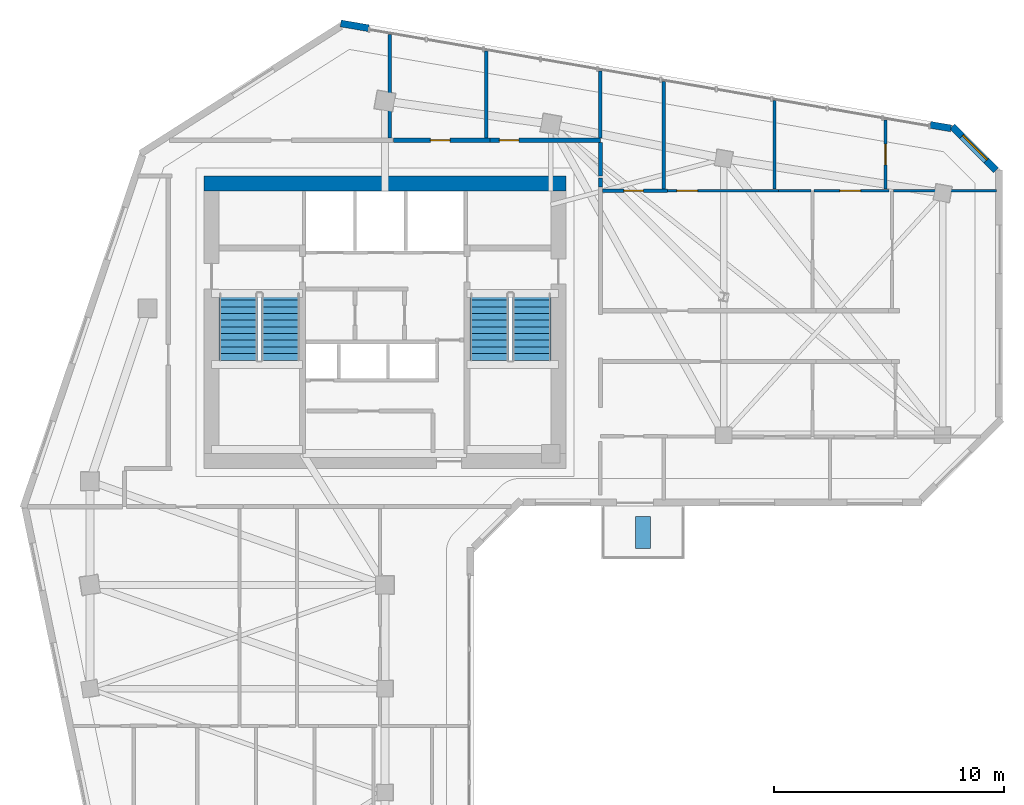
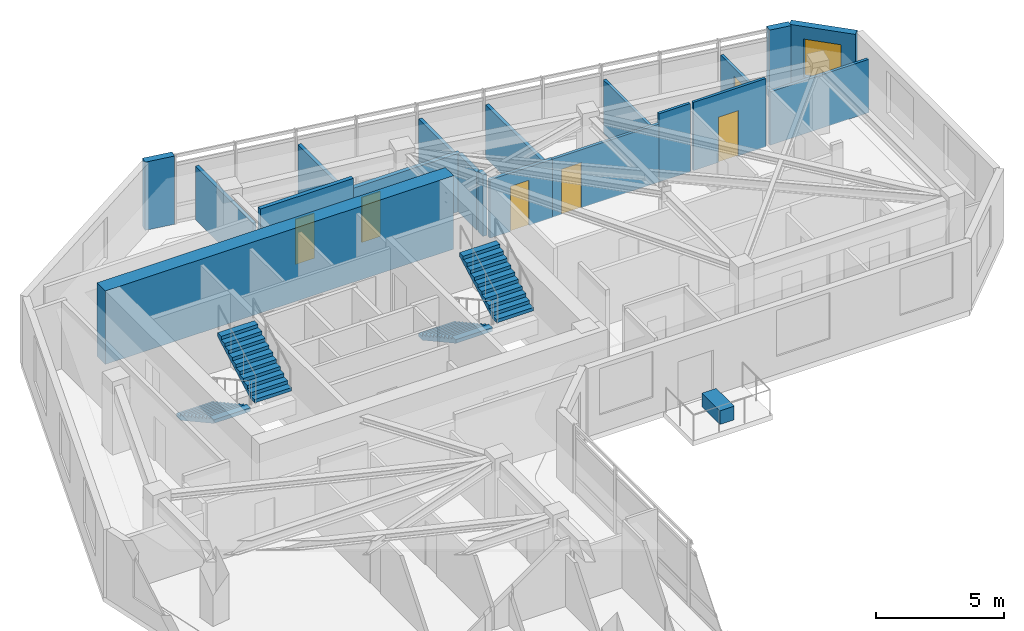
# One storey, part 8 of 11: 19 walls, 6 doors, 4 stair flights, 1 discrete accessory, 1 window, 7 openings, 2 elements without a shape of their own.
"""IFC4 building model written with IfcOpenShell, lengths in metres."""

from ifc_helpers import new_model, si_unit, direction, frame, frame_2d, origin, origin_2d, place, context, subcontext, project, spatial, polyline, rectangle, outline, extrude, source, transform, mapped, material, layer, layer_set, type_object, element, fill, aggregate, save


model = new_model("IFC4")

# Units and contexts
model_context = context("Model", 3, precision=1e-05, world=origin(), true_north=direction((0.0, 1.0)))
body_context = subcontext(model_context, "Body", "Model", "MODEL_VIEW")
ifc_project = project(units=[si_unit("LENGTHUNIT", "METRE"), si_unit("AREAUNIT", "SQUARE_METRE"), si_unit("VOLUMEUNIT", "CUBIC_METRE"), si_unit("PLANEANGLEUNIT", "RADIAN"), si_unit("MASSUNIT", "GRAM", prefix="KILO")], contexts=[model_context])

# Site, building, storey
site_placement = place(None, origin())
site = spatial("IfcSite", under=ifc_project, at=site_placement, CompositionType="ELEMENT")
building_placement = place(site_placement, origin())
building = spatial("IfcBuilding", under=site, at=building_placement, Name="Calvemar Wedge Station Tower", CompositionType="ELEMENT")
storey_placement = place(building_placement, frame((0.0, 0.0, 186.89990234375)))
storey = spatial("IfcBuildingStorey", under=building, at=storey_placement, Name="L46", CompositionType="ELEMENT", Elevation=186.89990234375)

# Wall
ifc_material_1 = material(Name="Concrete C60", Category="concrete")
ifc_layer_1 = layer(ifc_material_1, 0.64990234375)
ifc_layer_set_1 = layer_set([ifc_layer_1], Name="Concrete C60")
wall_type_1 = type_object("IfcWallType", Name="SW-CORE-650", PredefinedType="SHEAR", material=ifc_layer_set_1)
wall_1_placement = place(storey_placement, frame((15.949951171875, 45.925048828125, 0.0), z_axis=(0.0, 0.0, 1.0), x_axis=(1.0, 0.0, 0.0)))
element("IfcWall", 1, at=wall_1_placement, inside=storey, type_object=wall_type_1, Name="Storey L46 Core Shear Wall N", PredefinedType="SHEAR", context=body_context, shape_type="SweptSolid", body=[
    extrude(rectangle(XDim=15.699951171875, YDim=0.64990234375, at=frame_2d((7.85009765625, 0.0))), origin(), (0.0, 0.0, 1.0), 3.5),
])

# Wall, opening, door
ifc_material_2 = material(Name="Double-stud fire-rated corridor partition")
ifc_layer_2 = layer(ifc_material_2, 0.179931640625)
ifc_layer_set_2 = layer_set([ifc_layer_2], Name="Double-stud fire-rated corridor partition")
wall_type_2 = type_object("IfcWallType", Name="W-CORR-180", PredefinedType="PARTITIONING", material=ifc_layer_set_2)
wall_2_placement = place(storey_placement, frame((24.162109375, 47.800048828125, 0.0), z_axis=(0.0, 0.0, 1.0), x_axis=(1.0, 0.0, 0.0)))
wall_2 = element("IfcWall", 2, at=wall_2_placement, inside=storey, type_object=wall_type_2, Name="Storey L46 Interior Partition WL-L46-017", PredefinedType="PARTITIONING", context=body_context, shape_type="SweptSolid", body=[
    extrude(rectangle(XDim=4.197998046875, YDim=0.179931640625, at=frame_2d((2.09912109375, 0.0))), origin(), (0.0, 0.0, 1.0), 3.25),
])
shared_shape_1 = source(origin(), body_context, "Body", "SweptSolid", [
    extrude(rectangle(XDim=0.85009765625, YDim=2.14990234375, at=frame_2d((0.425048828125, 1.074951171875))), frame((0.0, 0.10009765625, 0.0), z_axis=(0.0, -1.0, 0.0), x_axis=(1.0, 0.0, 0.0)), (0.0, 0.0, 1.0), 0.199951171875),
])
opening_1_placement = place(wall_2_placement, frame((1.61328125, 0.0, 0.0)))
opening_1 = element("IfcOpeningElement", 3, at=opening_1_placement, cuts=wall_2, Name="Opening D-02", PredefinedType="OPENING", context=body_context, shape_type="MappedRepresentation", body=[
    mapped(shared_shape_1, transform((0.0, 0.0, 0.0), scale=1.0)),
])
ifc_material_3 = material(Name="Moisture-sealed bathroom hardwood swing door", Category="wood")
door_type_1 = type_object("IfcDoorType", Name="DR-WET-850", OperationType="NOTDEFINED", PredefinedType="DOOR", material=ifc_material_3)
shared_shape_2 = source(origin(), body_context, "Body", "SweptSolid", [
    extrude(rectangle(XDim=0.85009765625, YDim=2.14990234375, at=frame_2d((0.425048828125, 1.074951171875))), frame((0.0, 0.02490234375, 0.0), z_axis=(0.0, -1.0, 0.0), x_axis=(1.0, 0.0, 0.0)), (0.0, 0.0, 1.0), 0.050048828125),
])
door_1_placement = place(opening_1_placement, origin())
door_1 = element("IfcDoor", 4, at=door_1_placement, inside=storey, type_object=door_type_1, Name="L46 Accessible WC Door", OperationType="SINGLE_SWING_RIGHT", OverallHeight=2.14990234375, OverallWidth=0.85009765625, PredefinedType="DOOR", context=body_context, shape_type="MappedRepresentation", body=[
    mapped(shared_shape_2, transform((0.0, 0.0, 0.0), scale=1.0)),
])
fill(opening_1, door_1)

wall_3_placement = place(storey_placement, frame((28.362060546875, 47.800048828125, 0.0), z_axis=(0.0, 0.0, 1.0), x_axis=(1.0, 0.0, 0.0)))
wall_3 = element("IfcWall", 5, at=wall_3_placement, inside=storey, type_object=wall_type_2, Name="Storey L46 Interior Partition WL-L46-018", PredefinedType="PARTITIONING", context=body_context, shape_type="SweptSolid", body=[
    extrude(rectangle(XDim=4.787841796875, YDim=0.179931640625, at=frame_2d((2.39404296875, 0.0))), origin(), (0.0, 0.0, 1.0), 2.779052734375),
])
opening_2_placement = place(wall_3_placement, frame((0.400634765625, 0.0, 0.0)))
opening_2 = element("IfcOpeningElement", 6, at=opening_2_placement, cuts=wall_3, Name="Opening D-02", PredefinedType="OPENING", context=body_context, shape_type="MappedRepresentation", body=[
    mapped(shared_shape_1, transform((0.0, 0.0, 0.0), scale=1.0)),
])
door_2_placement = place(opening_2_placement, origin())
door_2 = element("IfcDoor", 7, at=door_2_placement, inside=storey, type_object=door_type_1, Name="L46 Storage Room Door", OperationType="SINGLE_SWING_LEFT", OverallHeight=2.14990234375, OverallWidth=0.85009765625, PredefinedType="DOOR", context=body_context, shape_type="MappedRepresentation", body=[
    mapped(shared_shape_2, transform((0.0, 0.0, 0.0), scale=1.0)),
])
fill(opening_2, door_2)

# Walls
wall_4_placement = place(storey_placement, frame((33.14990234375, 47.7060546875, 0.0), z_axis=(0.0, 0.0, 1.0), x_axis=(0.0, -1.0, 0.0)))
element("IfcWall", 8, at=wall_4_placement, inside=storey, type_object=wall_type_2, Name="Storey L46 Interior Partition WL-L46-019", PredefinedType="PARTITIONING", context=body_context, shape_type="SweptSolid", body=[
    extrude(rectangle(XDim=1.4560546875, YDim=0.179931640625, at=frame_2d((0.72802734375, 0.0))), origin(), (0.0, 0.0, 1.0), 2.779052734375),
])
wall_5_placement = place(storey_placement, frame((33.14990234375, 46.156005859375, 0.0), z_axis=(0.0, 0.0, 1.0), x_axis=(0.0, -1.0, 0.0)))
element("IfcWall", 9, at=wall_5_placement, inside=storey, type_object=wall_type_2, Name="Storey L46 Interior Partition WL-L46-021", PredefinedType="PARTITIONING", context=body_context, shape_type="SweptSolid", body=[
    extrude(rectangle(XDim=0.387939453125, YDim=0.179931640625, at=frame_2d((0.19384765625, 0.0))), origin(), (0.0, 0.0, 1.0), 2.919189453125),
])

# Wall, opening, window
ifc_material_4 = material(Name="Precast concrete C45", Category="concrete")
ifc_layer_3 = layer(ifc_material_4, 0.300048828125)
ifc_layer_set_3 = layer_set([ifc_layer_3], Name="Precast concrete C45")
wall_type_3 = type_object("IfcWallType", Name="W-EXT-GFRC-300", PredefinedType="SOLIDWALL", material=ifc_layer_set_3)
wall_6_placement = place(storey_placement, frame((50.31201171875, 46.5, 0.0), z_axis=(0.0, 0.0, 1.0), x_axis=(-0.707106781187, 0.707106781187, 0.0)))
wall_6 = element("IfcWall", 10, at=wall_6_placement, inside=storey, type_object=wall_type_3, Name="Storey L46 Bronze GFRC Exterior Wall 9", PredefinedType="SOLIDWALL", context=body_context, shape_type="SweptSolid", body=[
    extrude(rectangle(XDim=2.67333984375, YDim=0.300048828125, at=frame_2d((1.336669921875, 0.0))), origin(), (0.0, 0.0, 1.0), 3.25),
])
shared_shape_3 = source(origin(), body_context, "Body", "SweptSolid", [
    extrude(rectangle(XDim=1.5, YDim=1.800048828125, at=frame_2d((0.75, 0.89990234375))), frame((0.0, 0.16015625, 0.0), z_axis=(0.0, -1.0, 0.0), x_axis=(1.0, 0.0, 0.0)), (0.0, 0.0, 1.0), 0.320068359375),
])
opening_3_placement = place(wall_6_placement, frame((0.5869140625, 0.0, 0.85009765625)))
opening_3 = element("IfcOpeningElement", 11, at=opening_3_placement, cuts=wall_6, Name="Opening W3", PredefinedType="OPENING", context=body_context, shape_type="MappedRepresentation", body=[
    mapped(shared_shape_3, transform((0.0, 0.0, 0.0), scale=1.0)),
])
ifc_material_5 = material(Name="Low-E laminated insulated glass", Category="glass")
window_type = type_object("IfcWindowType", Name="WIN-EXT-3", PartitioningType="SINGLE_PANEL", PredefinedType="WINDOW", material=ifc_material_5)
shared_shape_4 = source(origin(), body_context, "Body", "SweptSolid", [
    extrude(rectangle(XDim=1.5, YDim=1.800048828125, at=frame_2d((0.75, 0.89990234375))), frame((0.0, -0.014892578125, 0.0), z_axis=(0.0, -1.0, 0.0), x_axis=(1.0, 0.0, 0.0)), (0.0, 0.0, 1.0), 0.06005859375),
])
window_placement = place(opening_3_placement, origin())
window = element("IfcWindow", 12, at=window_placement, inside=storey, type_object=window_type, Name="Storey L46 Recessed Window 9.1", OverallHeight=1.800048828125, OverallWidth=1.5, PartitioningType="SINGLE_PANEL", PredefinedType="WINDOW", context=body_context, shape_type="MappedRepresentation", body=[
    mapped(shared_shape_4, transform((0.0, 0.0, 0.0), scale=1.0)),
])
fill(opening_3, window)

# Walls
wall_7_placement = place(storey_placement, frame((48.361083984375, 48.31298828125, 0.0), z_axis=(0.0, 0.0, 1.0), x_axis=(-0.985560806516, 0.169321872949, 0.0)))
element("IfcWall", 13, at=wall_7_placement, inside=storey, type_object=wall_type_3, Name="Storey L46 Bronze GFRC Corner Pier 10A", PredefinedType="SOLIDWALL", context=body_context, shape_type="SweptSolid", body=[
    extrude(rectangle(XDim=0.908447265625, YDim=0.300048828125, at=frame_2d((0.4541015625, 0.0))), origin(), (0.0, 0.0, 1.0), 3.25),
])
wall_8_placement = place(storey_placement, frame((23.093505859375, 52.65966796875, 0.0), z_axis=(0.0, 0.0, 1.0), x_axis=(-0.985503719785, 0.169653818966, 0.0)))
element("IfcWall", 14, at=wall_8_placement, inside=storey, type_object=wall_type_3, Name="Storey L46 Bronze GFRC Corner Pier 10B", PredefinedType="SOLIDWALL", context=body_context, shape_type="SweptSolid", body=[
    extrude(rectangle(XDim=1.2275390625, YDim=0.300048828125, at=frame_2d((0.61376953125, 0.0))), origin(), (0.0, 0.0, 1.0), 3.25),
])
ifc_material_6 = material(Name="Insulated acoustic gypsum stud partition")
ifc_layer_4 = layer(ifc_material_6, 0.125)
ifc_layer_set_4 = layer_set([ifc_layer_4], Name="Insulated acoustic gypsum stud partition")
wall_type_4 = type_object("IfcWallType", Name="W-PART-125", PredefinedType="PARTITIONING", material=ifc_layer_set_4)
wall_9_placement = place(storey_placement, frame((45.87451171875, 45.60595703125, 0.0), z_axis=(0.0, 0.0, 1.0), x_axis=(1.0, 0.0, 0.0)))
element("IfcWall", 15, at=wall_9_placement, inside=storey, type_object=wall_type_4, Name="Storey L46 Interior Partition WL-L46-034", PredefinedType="PARTITIONING", context=body_context, shape_type="SweptSolid", body=[
    extrude(rectangle(XDim=4.46044921875, YDim=0.125, at=frame_2d((2.230224609375, 0.0))), origin(), (0.0, 0.0, 1.0), 2.5419921875),
])

# Wall, opening, door
wall_10_placement = place(storey_placement, frame((36.06201171875, 45.60595703125, 0.0), z_axis=(0.0, 0.0, 1.0), x_axis=(1.0, 0.0, 0.0)))
wall_10 = element("IfcWall", 16, at=wall_10_placement, inside=storey, type_object=wall_type_4, Name="Storey L46 Interior Partition WL-L46-037", PredefinedType="PARTITIONING", context=body_context, shape_type="SweptSolid", body=[
    extrude(rectangle(XDim=4.81005859375, YDim=0.125, at=frame_2d((2.405029296875, 0.0))), origin(), (0.0, 0.0, 1.0), 2.76611328125),
])
shared_shape_5 = source(origin(), body_context, "Body", "SweptSolid", [
    extrude(rectangle(XDim=0.89990234375, YDim=2.14990234375, at=frame_2d((0.449951171875, 1.074951171875))), frame((0.0, 0.072509765625, 0.0), z_axis=(0.0, -1.0, 0.0), x_axis=(1.0, 0.0, 0.0)), (0.0, 0.0, 1.0), 0.14501953125),
])
opening_4_placement = place(wall_10_placement, frame((0.404052734375, 0.0, 0.0)))
opening_4 = element("IfcOpeningElement", 17, at=opening_4_placement, cuts=wall_10, Name="Opening D-01", PredefinedType="OPENING", context=body_context, shape_type="MappedRepresentation", body=[
    mapped(shared_shape_5, transform((0.0, 0.0, 0.0), scale=1.0)),
])
ifc_material_7 = material(Name="Architectural hardwood acoustic swing door", Category="wood")
door_type_2 = type_object("IfcDoorType", Name="DR-INT-900", OperationType="NOTDEFINED", PredefinedType="DOOR", material=ifc_material_7)
shared_shape_6 = source(origin(), body_context, "Body", "SweptSolid", [
    extrude(rectangle(XDim=0.89990234375, YDim=2.14990234375, at=frame_2d((0.449951171875, 1.074951171875))), frame((0.0, 0.02490234375, 0.0), z_axis=(0.0, -1.0, 0.0), x_axis=(1.0, 0.0, 0.0)), (0.0, 0.0, 1.0), 0.050048828125),
])
door_3_placement = place(opening_4_placement, origin())
door_3 = element("IfcDoor", 18, at=door_3_placement, inside=storey, type_object=door_type_2, Name="L46 Master Bedroom Door", OperationType="SINGLE_SWING_RIGHT", OverallHeight=2.14990234375, OverallWidth=0.89990234375, PredefinedType="DOOR", context=body_context, shape_type="MappedRepresentation", body=[
    mapped(shared_shape_6, transform((0.0, 0.0, 0.0), scale=1.0)),
])
fill(opening_4, door_3)

# Wall
wall_11_placement = place(storey_placement, frame((40.8740234375, 45.60595703125, 0.0), z_axis=(0.0, 0.0, 1.0), x_axis=(1.0, 0.0, 0.0)))
element("IfcWall", 19, at=wall_11_placement, inside=storey, type_object=wall_type_4, Name="Storey L46 Interior Partition WL-L46-038", PredefinedType="PARTITIONING", context=body_context, shape_type="SweptSolid", body=[
    extrude(rectangle(XDim=1.409423828125, YDim=0.125, at=frame_2d((0.70458984375, 0.0))), origin(), (0.0, 0.0, 1.0), 3.25),
])

# Wall, opening, door
wall_12_placement = place(storey_placement, frame((42.41650390625, 45.60595703125, 0.0), z_axis=(0.0, 0.0, 1.0), x_axis=(1.0, 0.0, 0.0)))
wall_12 = element("IfcWall", 20, at=wall_12_placement, inside=storey, type_object=wall_type_4, Name="Storey L46 Interior Partition WL-L46-039", PredefinedType="PARTITIONING", context=body_context, shape_type="SweptSolid", body=[
    extrude(rectangle(XDim=3.2666015625, YDim=0.125, at=frame_2d((1.63330078125, 0.0))), origin(), (0.0, 0.0, 1.0), 3.25),
])
opening_5_placement = place(wall_12_placement, frame((1.123046875, 0.0, 0.0)))
opening_5 = element("IfcOpeningElement", 21, at=opening_5_placement, cuts=wall_12, Name="Opening D-01", PredefinedType="OPENING", context=body_context, shape_type="MappedRepresentation", body=[
    mapped(shared_shape_5, transform((0.0, 0.0, 0.0), scale=1.0)),
])
door_4_placement = place(opening_5_placement, origin())
door_4 = element("IfcDoor", 22, at=door_4_placement, inside=storey, type_object=door_type_2, Name="L46 Bedroom Door", OperationType="SINGLE_SWING_LEFT", OverallHeight=2.14990234375, OverallWidth=0.89990234375, PredefinedType="DOOR", context=body_context, shape_type="MappedRepresentation", body=[
    mapped(shared_shape_6, transform((0.0, 0.0, 0.0), scale=1.0)),
])
fill(opening_5, door_4)

# Wall
wall_13_placement = place(storey_placement, frame((40.7119140625, 49.51220703125, 0.0), z_axis=(0.0, 0.0, 1.0), x_axis=(0.0, -1.0, 0.0)))
element("IfcWall", 23, at=wall_13_placement, inside=storey, type_object=wall_type_4, Name="Storey L46 Interior Partition WL-L46-041", PredefinedType="PARTITIONING", context=body_context, shape_type="SweptSolid", body=[
    extrude(rectangle(XDim=3.839599609375, YDim=0.125, at=frame_2d((1.919921875, 0.0))), origin(), (0.0, 0.0, 1.0), 2.5419921875),
])

# Wall, opening, door
wall_14_placement = place(storey_placement, frame((45.52294921875, 48.684326171875, 0.0), z_axis=(0.0, 0.0, 1.0), x_axis=(0.0, -1.0, 0.0)))
wall_14 = element("IfcWall", 24, at=wall_14_placement, inside=storey, type_object=wall_type_4, Name="Storey L46 Interior Partition WL-L46-042", PredefinedType="PARTITIONING", context=body_context, shape_type="SweptSolid", body=[
    extrude(rectangle(XDim=3.01171875, YDim=0.125, at=frame_2d((1.505859375, 0.0))), origin(), (0.0, 0.0, 1.0), 2.5419921875),
])
opening_6_placement = place(wall_14_placement, frame((1.055908203125, 0.0, 0.0)))
opening_6 = element("IfcOpeningElement", 25, at=opening_6_placement, cuts=wall_14, Name="Opening D-01", PredefinedType="OPENING", context=body_context, shape_type="MappedRepresentation", body=[
    mapped(shared_shape_5, transform((0.0, 0.0, 0.0), scale=1.0)),
])
door_5_placement = place(opening_6_placement, origin())
door_5 = element("IfcDoor", 26, at=door_5_placement, inside=storey, type_object=door_type_2, Name="L46 Study Door", OperationType="SINGLE_SWING_RIGHT", OverallHeight=2.14990234375, OverallWidth=0.89990234375, PredefinedType="DOOR", context=body_context, shape_type="MappedRepresentation", body=[
    mapped(shared_shape_6, transform((0.0, 0.0, 0.0), scale=1.0)),
])
fill(opening_6, door_5)

# Walls
ifc_material_8 = material(Name="Moisture-resistant acoustic bathroom partition")
ifc_layer_5 = layer(ifc_material_8, 0.14990234375)
ifc_layer_set_5 = layer_set([ifc_layer_5], Name="Moisture-resistant acoustic bathroom partition")
wall_type_5 = type_object("IfcWallType", Name="W-WET-150", PredefinedType="PARTITIONING", material=ifc_layer_set_5)
wall_15_placement = place(storey_placement, frame((24.0, 52.386962890625, 0.0), z_axis=(0.0, 0.0, 1.0), x_axis=(0.0, -1.0, 0.0)))
element("IfcWall", 27, at=wall_15_placement, inside=storey, type_object=wall_type_5, Name="Storey L46 Interior Partition WL-L46-024", PredefinedType="PARTITIONING", context=body_context, shape_type="SweptSolid", body=[
    extrude(rectangle(XDim=4.492919921875, YDim=0.14990234375, at=frame_2d((2.24658203125, 0.0))), origin(), (0.0, 0.0, 1.0), 2.5419921875),
])
wall_16_placement = place(storey_placement, frame((28.199951171875, 51.66455078125, 0.0), z_axis=(0.0, 0.0, 1.0), x_axis=(0.0, -1.0, 0.0)))
element("IfcWall", 28, at=wall_16_placement, inside=storey, type_object=wall_type_5, Name="Storey L46 Interior Partition WL-L46-025", PredefinedType="PARTITIONING", context=body_context, shape_type="SweptSolid", body=[
    extrude(rectangle(XDim=3.7705078125, YDim=0.14990234375, at=frame_2d((1.88525390625, 0.0))), origin(), (0.0, 0.0, 1.0), 2.5419921875),
])
wall_17_placement = place(storey_placement, frame((33.14990234375, 50.81298828125, 0.0), z_axis=(0.0, 0.0, 1.0), x_axis=(0.0, -1.0, 0.0)))
element("IfcWall", 29, at=wall_17_placement, inside=storey, type_object=wall_type_5, Name="Storey L46 Interior Partition WL-L46-026", PredefinedType="PARTITIONING", context=body_context, shape_type="SweptSolid", body=[
    extrude(rectangle(XDim=2.9189453125, YDim=0.14990234375, at=frame_2d((1.45947265625, 0.0))), origin(), (0.0, 0.0, 1.0), 2.5419921875),
])

# Wall, opening, door
wall_18_placement = place(storey_placement, frame((33.243896484375, 45.60595703125, 0.0), z_axis=(0.0, 0.0, 1.0), x_axis=(1.0, 0.0, 0.0)))
wall_18 = element("IfcWall", 30, at=wall_18_placement, inside=storey, type_object=wall_type_5, Name="Storey L46 Interior Partition WL-L46-036", PredefinedType="PARTITIONING", context=body_context, shape_type="SweptSolid", body=[
    extrude(rectangle(XDim=2.816162109375, YDim=0.14990234375, at=frame_2d((1.408203125, 0.0))), origin(), (0.0, 0.0, 1.0), 2.779052734375),
])
shared_shape_7 = source(origin(), body_context, "Body", "SweptSolid", [
    extrude(rectangle(XDim=0.85009765625, YDim=2.14990234375, at=frame_2d((0.425048828125, 1.074951171875))), frame((0.0, 0.0849609375, 0.0), z_axis=(0.0, -1.0, 0.0), x_axis=(1.0, 0.0, 0.0)), (0.0, 0.0, 1.0), 0.169921875),
])
opening_7_placement = place(wall_18_placement, frame((0.919189453125, 0.0, 0.0)))
opening_7 = element("IfcOpeningElement", 31, at=opening_7_placement, cuts=wall_18, Name="Opening D-02", PredefinedType="OPENING", context=body_context, shape_type="MappedRepresentation", body=[
    mapped(shared_shape_7, transform((0.0, 0.0, 0.0), scale=1.0)),
])
door_6_placement = place(opening_7_placement, origin())
door_6 = element("IfcDoor", 32, at=door_6_placement, inside=storey, type_object=door_type_1, Name="L46 Bathroom Door", OperationType="SINGLE_SWING_LEFT", OverallHeight=2.14990234375, OverallWidth=0.85009765625, PredefinedType="DOOR", context=body_context, shape_type="MappedRepresentation", body=[
    mapped(shared_shape_2, transform((0.0, 0.0, 0.0), scale=1.0)),
])
fill(opening_7, door_6)

# Wall
wall_19_placement = place(storey_placement, frame((35.89990234375, 50.33984375, 0.0), z_axis=(0.0, 0.0, 1.0), x_axis=(0.0, -1.0, 0.0)))
element("IfcWall", 33, at=wall_19_placement, inside=storey, type_object=wall_type_5, Name="Storey L46 Interior Partition WL-L46-040", PredefinedType="PARTITIONING", context=body_context, shape_type="SweptSolid", body=[
    extrude(rectangle(XDim=4.65478515625, YDim=0.14990234375, at=frame_2d((2.327392578125, 0.0))), origin(), (0.0, 0.0, 1.0), 2.5419921875),
])

# Stair, stair flights
ifc_material_9 = material(Name="Concrete C45", Category="concrete")
stair_type = type_object("IfcStairType", Name="ST-TYPE-3500", PredefinedType="HALF_TURN_STAIR", material=ifc_material_9)
stair_1_placement = place(storey_placement, origin())
stair_1 = element("IfcStair", 34, at=stair_1_placement, inside=storey, type_object=stair_type, Name="L46 Pressurized Core Exit Stair ST-C1", PredefinedType="HALF_TURN_STAIR")
stair_flight_type = type_object("IfcStairFlightType", Name="STF-TYPE-3500", PredefinedType="STRAIGHT", material=ifc_material_9)
stair_flight_1_placement = place(storey_placement, frame((17.429931640625, 41.14990234375, 0.0), z_axis=(0.0, 0.0, 1.0), x_axis=(0.0, -1.0, 0.0)))
stair_flight_1 = element("IfcStairFlight", 35, at=stair_flight_1_placement, type_object=stair_flight_type, Name="ST-C1 flight 1", NumberOfRisers=11, NumberOfTreads=10, PredefinedType="STRAIGHT", RiserHeight=0.159090909, TreadLength=0.29, context=body_context, shape_type="SweptSolid", body=[
    extrude(outline(polyline([(0.0, 0.0), (0.0, 0.1591796875), (0.2900390625, 0.1591796875), (0.2900390625, 0.318115234375), (0.580078125, 0.318115234375), (0.580078125, 0.477294921875), (0.8701171875, 0.477294921875), (0.8701171875, 0.636474609375), (1.159912109375, 0.636474609375), (1.159912109375, 0.79541015625), (1.449951171875, 0.79541015625), (1.449951171875, 0.95458984375), (1.739990234375, 0.95458984375), (1.739990234375, 1.113525390625), (2.030029296875, 1.113525390625), (2.030029296875, 1.272705078125), (2.320068359375, 1.272705078125), (2.320068359375, 1.431884765625), (2.610107421875, 1.431884765625), (2.610107421875, 1.5908203125), (2.89990234375, 1.5908203125), (2.89990234375, 1.75), (2.89990234375, 1.419921875), (0.311767578125, 0.0), (0.0, 0.0)])), frame((0.0, 0.830078125, 0.0), z_axis=(0.0, -1.0, 0.0), x_axis=(1.0, 0.0, 0.0)), (0.0, 0.0, 1.0), 1.659912109375),
])
stair_flight_2_placement = place(storey_placement, frame((19.27001953125, 38.25, 1.75), z_axis=(0.0, 0.0, 1.0), x_axis=(0.0, 1.0, 0.0)))
stair_flight_2 = element("IfcStairFlight", 36, at=stair_flight_2_placement, type_object=stair_flight_type, Name="ST-C1 flight 2", NumberOfRisers=11, NumberOfTreads=10, PredefinedType="STRAIGHT", RiserHeight=0.159090909, TreadLength=0.29, context=body_context, shape_type="SweptSolid", body=[
    extrude(outline(polyline([(0.0, 0.0), (0.0, 0.1591796875), (0.2900390625, 0.1591796875), (0.2900390625, 0.318115234375), (0.580078125, 0.318115234375), (0.580078125, 0.477294921875), (0.8701171875, 0.477294921875), (0.8701171875, 0.636474609375), (1.159912109375, 0.636474609375), (1.159912109375, 0.79541015625), (1.449951171875, 0.79541015625), (1.449951171875, 0.95458984375), (1.739990234375, 0.95458984375), (1.739990234375, 1.113525390625), (2.030029296875, 1.113525390625), (2.030029296875, 1.272705078125), (2.320068359375, 1.272705078125), (2.320068359375, 1.431884765625), (2.610107421875, 1.431884765625), (2.610107421875, 1.5908203125), (2.89990234375, 1.5908203125), (2.89990234375, 1.75), (2.89990234375, 1.419921875), (0.311767578125, 0.0), (0.0, 0.0)])), frame((0.0, 0.830078125, 0.0), z_axis=(0.0, -1.0, 0.0), x_axis=(1.0, 0.0, 0.0)), (0.0, 0.0, 1.0), 1.659912109375),
])
aggregate(stair_1, [stair_flight_1, stair_flight_2])

stair_2_placement = place(storey_placement, origin())
stair_2 = element("IfcStair", 37, at=stair_2_placement, inside=storey, type_object=stair_type, Name="L46 Pressurized Core Exit Stair ST-C2", PredefinedType="HALF_TURN_STAIR")
stair_flight_3_placement = place(storey_placement, frame((28.330078125, 41.14990234375, 0.0), z_axis=(0.0, 0.0, 1.0), x_axis=(0.0, -1.0, 0.0)))
stair_flight_3 = element("IfcStairFlight", 38, at=stair_flight_3_placement, type_object=stair_flight_type, Name="ST-C2 flight 1", NumberOfRisers=11, NumberOfTreads=10, PredefinedType="STRAIGHT", RiserHeight=0.159090909, TreadLength=0.29, context=body_context, shape_type="SweptSolid", body=[
    extrude(outline(polyline([(0.0, 0.0), (0.0, 0.1591796875), (0.2900390625, 0.1591796875), (0.2900390625, 0.318115234375), (0.580078125, 0.318115234375), (0.580078125, 0.477294921875), (0.8701171875, 0.477294921875), (0.8701171875, 0.636474609375), (1.159912109375, 0.636474609375), (1.159912109375, 0.79541015625), (1.449951171875, 0.79541015625), (1.449951171875, 0.95458984375), (1.739990234375, 0.95458984375), (1.739990234375, 1.113525390625), (2.030029296875, 1.113525390625), (2.030029296875, 1.272705078125), (2.320068359375, 1.272705078125), (2.320068359375, 1.431884765625), (2.610107421875, 1.431884765625), (2.610107421875, 1.5908203125), (2.89990234375, 1.5908203125), (2.89990234375, 1.75), (2.89990234375, 1.419921875), (0.311767578125, 0.0), (0.0, 0.0)])), frame((0.0, 0.830078125, 0.0), z_axis=(0.0, -1.0, 0.0), x_axis=(1.0, 0.0, 0.0)), (0.0, 0.0, 1.0), 1.659912109375),
])
stair_flight_4_placement = place(storey_placement, frame((30.169921875, 38.25, 1.75), z_axis=(0.0, 0.0, 1.0), x_axis=(0.0, 1.0, 0.0)))
stair_flight_4 = element("IfcStairFlight", 39, at=stair_flight_4_placement, type_object=stair_flight_type, Name="ST-C2 flight 2", NumberOfRisers=11, NumberOfTreads=10, PredefinedType="STRAIGHT", RiserHeight=0.159090909, TreadLength=0.29, context=body_context, shape_type="SweptSolid", body=[
    extrude(outline(polyline([(0.0, 0.0), (0.0, 0.1591796875), (0.2900390625, 0.1591796875), (0.2900390625, 0.318115234375), (0.580078125, 0.318115234375), (0.580078125, 0.477294921875), (0.8701171875, 0.477294921875), (0.8701171875, 0.636474609375), (1.159912109375, 0.636474609375), (1.159912109375, 0.79541015625), (1.449951171875, 0.79541015625), (1.449951171875, 0.95458984375), (1.739990234375, 0.95458984375), (1.739990234375, 1.113525390625), (2.030029296875, 1.113525390625), (2.030029296875, 1.272705078125), (2.320068359375, 1.272705078125), (2.320068359375, 1.431884765625), (2.610107421875, 1.431884765625), (2.610107421875, 1.5908203125), (2.89990234375, 1.5908203125), (2.89990234375, 1.75), (2.89990234375, 1.419921875), (0.311767578125, 0.0), (0.0, 0.0)])), frame((0.0, 0.830078125, 0.0), z_axis=(0.0, -1.0, 0.0), x_axis=(1.0, 0.0, 0.0)), (0.0, 0.0, 1.0), 1.659912109375),
])
aggregate(stair_2, [stair_flight_3, stair_flight_4])

# Discrete accessory
discrete_accessory_type = type_object("IfcDiscreteAccessoryType", Name="ACC-PLANTER", PredefinedType="USERDEFINED", material=ifc_material_4)
shared_shape_8 = source(origin(), body_context, "Body", "SweptSolid", [
    extrude(rectangle(XDim=0.64990234375, YDim=1.39990234375, at=origin_2d()), origin(), (0.0, 0.0, 1.0), 0.64990234375),
])
discrete_accessory_placement = place(storey_placement, frame((35.0, 30.77392578125, 0.000244140625), z_axis=(0.0, 0.0, 1.0), x_axis=(1.0, 0.0, 0.0)))
element("IfcDiscreteAccessory", 40, at=discrete_accessory_placement, inside=storey, type_object=discrete_accessory_type, Name="Storey L46 Planted Terrace GFRC Planter", ObjectType="PLANTER", PredefinedType="USERDEFINED", context=body_context, shape_type="MappedRepresentation", body=[
    mapped(shared_shape_8, transform((0.0, 0.0, 0.0), scale=1.0)),
])

save(model, "model.ifc")
